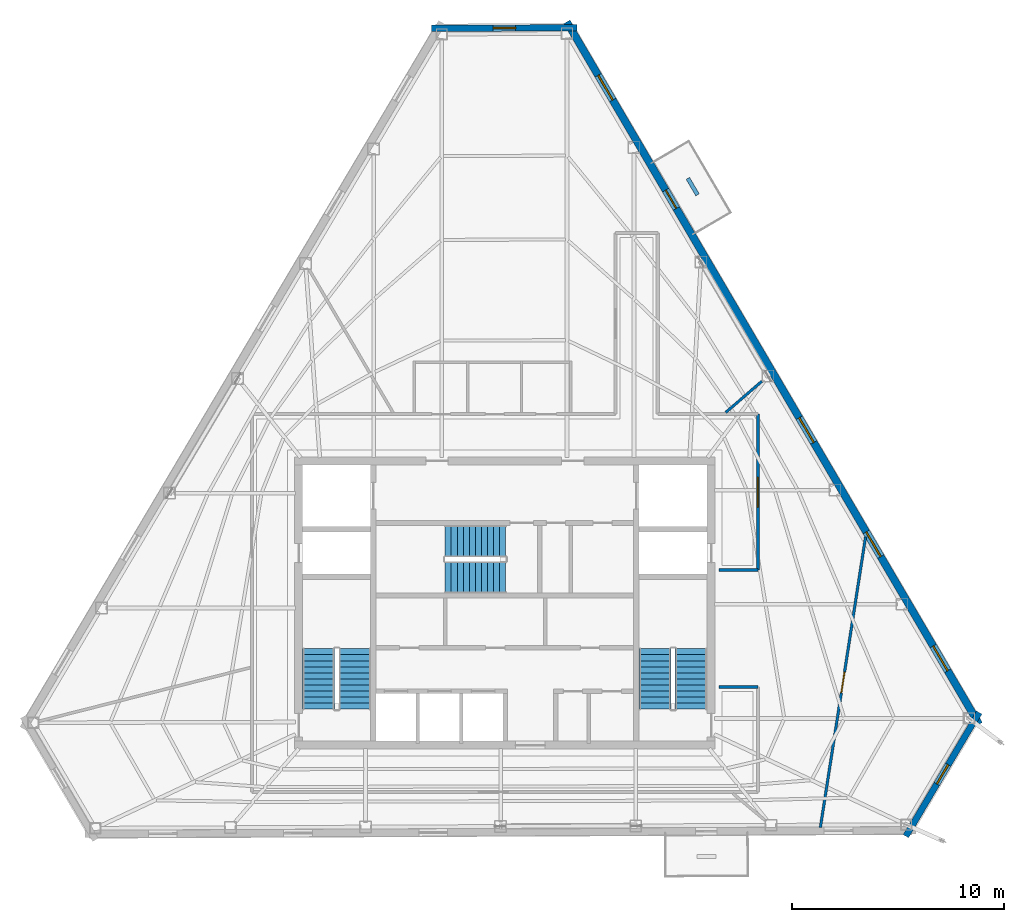
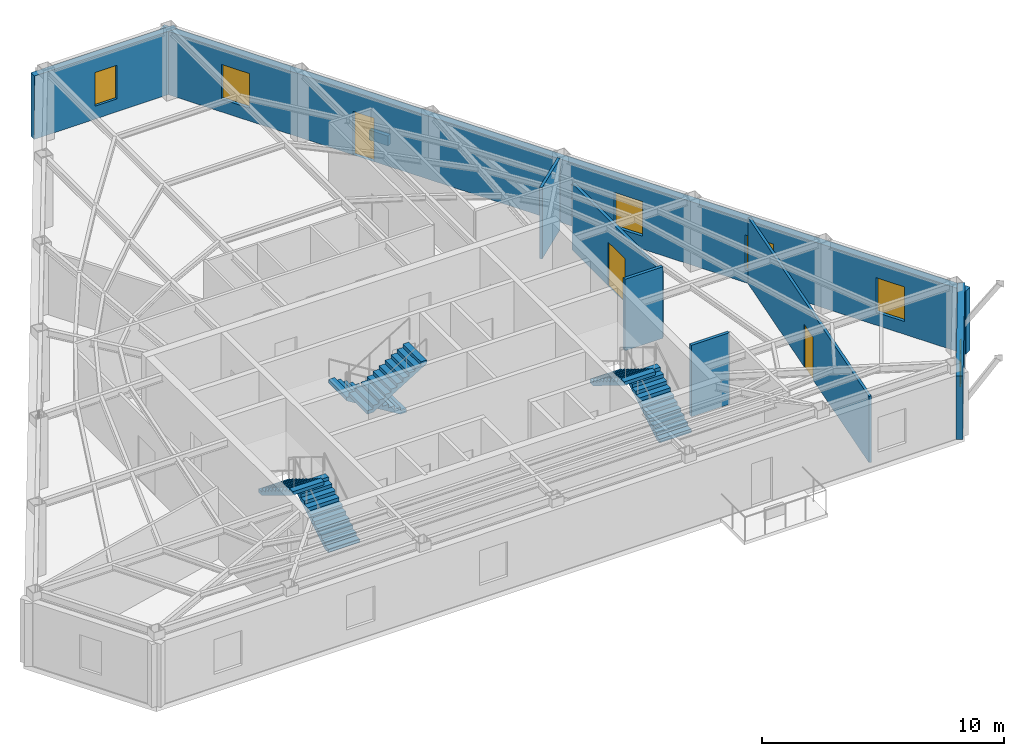
# One storey, part 8 of 9: 9 walls, 6 stair flights, 6 windows, 3 doors, 9 openings, 3 elements without a shape of their own.
"""IFC4 building model written with IfcOpenShell, lengths in metres."""

from ifc_helpers import new_model, si_unit, direction, frame, frame_2d, origin, place, context, subcontext, project, spatial, polyline, rectangle, outline, extrude, material, layer, layer_set, type_object, element, fill, aggregate, save


model = new_model("IFC4")

# Units and contexts
model_context = context("Model", 3, precision=1e-05, world=origin(), true_north=direction((0.0, 1.0)))
body_context = subcontext(model_context, "Body", "Model", "MODEL_VIEW")
ifc_project = project(units=[si_unit("LENGTHUNIT", "METRE"), si_unit("AREAUNIT", "SQUARE_METRE"), si_unit("VOLUMEUNIT", "CUBIC_METRE"), si_unit("PLANEANGLEUNIT", "RADIAN"), si_unit("MASSUNIT", "GRAM", prefix="KILO")], contexts=[model_context])

# Site, building, storey
site_placement = place(None, origin())
site = spatial("IfcSite", under=ifc_project, at=site_placement, CompositionType="ELEMENT")
building_placement = place(site_placement, origin())
building = spatial("IfcBuilding", under=site, at=building_placement, Name="Kavelnor Concourse Tower", CompositionType="ELEMENT")
storey_placement = place(building_placement, frame((0.0, 0.0, 278.0)))
storey = spatial("IfcBuildingStorey", under=building, at=storey_placement, Name="L70", CompositionType="ELEMENT", Elevation=278.0)

# Wall, opening, window
ifc_material_1 = material(Name="Buff ironspot clay face brick masonry", Category="masonry")
ifc_layer_1 = layer(ifc_material_1, 0.300048828125, Name="Buff ironspot clay face brick masonry")
ifc_layer_set_1 = layer_set([ifc_layer_1], Name="Buff ironspot clay face brick masonry")
wall_type_1 = type_object("IfcWallType", Name="WL-EXT-BUFF-BRICK-FOLD-300", PredefinedType="STANDARD", material=ifc_layer_set_1)
wall_1_placement = place(storey_placement, frame((34.552001953125, 43.155517578125, 0.0), z_axis=(0.0, 0.0, 1.0), x_axis=(0.999990229646, 0.004420476578, 0.0)))
wall_1 = element("IfcWall", 1, at=wall_1_placement, inside=storey, type_object=wall_type_1, Name="L70 Exterior Brick Facade Wall E0", PredefinedType="STANDARD", context=body_context, shape_type="SweptSolid", body=[
    extrude(rectangle(XDim=6.848388671875, YDim=0.300048828125, at=frame_2d((3.42431640625, 0.0))), origin(), (0.0, 0.0, 1.0), 3.196044921875),
])
opening_1_placement = place(wall_1_placement, frame((2.899169921875, 0.0, 0.64990234375)))
opening_1 = element("IfcOpeningElement", 2, at=opening_1_placement, cuts=wall_1, Name="Opening W-06", PredefinedType="OPENING", context=body_context, shape_type="SweptSolid", body=[
    extrude(rectangle(XDim=1.050048828125, YDim=1.699951171875, at=frame_2d((0.52490234375, 0.85009765625))), frame((0.0, 0.16015625, 0.0), z_axis=(0.0, -1.0, 0.0), x_axis=(1.0, 0.0, 0.0)), (0.0, 0.0, 1.0), 0.320068359375),
])
ifc_material_2 = material(Name="Double low-E argon insulated glazing", Category="glass")
window_type_1 = type_object("IfcWindowType", Name="WIN-FOLD-1050", PartitioningType="SINGLE_PANEL", PredefinedType="WINDOW", material=ifc_material_2)
window_1_placement = place(opening_1_placement, origin())
window_1 = element("IfcWindow", 3, at=window_1_placement, inside=storey, type_object=window_type_1, Name="L70 Chamfer-Fold Facet Window C0", OverallHeight=1.699951171875, OverallWidth=1.050048828125, PartitioningType="SINGLE_PANEL", PredefinedType="WINDOW", context=body_context, shape_type="SweptSolid", body=[
    extrude(rectangle(XDim=1.050048828125, YDim=1.699951171875, at=frame_2d((0.52490234375, 0.85009765625))), frame((0.0, 0.030029296875, 0.0), z_axis=(0.0, -1.0, 0.0), x_axis=(1.0, 0.0, 0.0)), (0.0, 0.0, 1.0), 0.06005859375),
])
fill(opening_1, window_1)

wall_2_placement = place(storey_placement, frame((60.33251953125, 10.943603515625, 0.0), z_axis=(0.0, 0.0, 1.0), x_axis=(-0.510055421905, -0.860141538693, 0.0)))
wall_2 = element("IfcWall", 4, at=wall_2_placement, inside=storey, type_object=wall_type_1, Name="L70 Exterior Brick Facade Wall E4", PredefinedType="STANDARD", context=body_context, shape_type="SweptSolid", body=[
    extrude(rectangle(XDim=6.77001953125, YDim=0.300048828125, at=frame_2d((3.385009765625, 0.0))), origin(), (0.0, 0.0, 1.0), 3.196044921875),
])
opening_2_placement = place(wall_2_placement, frame((2.860107421875, 0.0, 0.64990234375)))
opening_2 = element("IfcOpeningElement", 5, at=opening_2_placement, cuts=wall_2, Name="Opening W-06", PredefinedType="OPENING", context=body_context, shape_type="SweptSolid", body=[
    extrude(rectangle(XDim=1.050048828125, YDim=1.699951171875, at=frame_2d((0.52490234375, 0.85009765625))), frame((0.0, 0.16015625, 0.0), z_axis=(0.0, -1.0, 0.0), x_axis=(1.0, 0.0, 0.0)), (0.0, 0.0, 1.0), 0.320068359375),
])
window_2_placement = place(opening_2_placement, origin())
window_2 = element("IfcWindow", 6, at=window_2_placement, inside=storey, type_object=window_type_1, Name="L70 Chamfer-Fold Facet Window C2", OverallHeight=1.699951171875, OverallWidth=1.050048828125, PartitioningType="SINGLE_PANEL", PredefinedType="WINDOW", context=body_context, shape_type="SweptSolid", body=[
    extrude(rectangle(XDim=1.050048828125, YDim=1.699951171875, at=frame_2d((0.52490234375, 0.85009765625))), frame((0.0, 0.030029296875, 0.0), z_axis=(0.0, -1.0, 0.0), x_axis=(1.0, 0.0, 0.0)), (0.0, 0.0, 1.0), 0.06005859375),
])
fill(opening_2, window_2)

# Wall, openings, door, windows
ifc_material_3 = material(Name="Red-ochre clay face brick masonry", Category="masonry")
ifc_layer_2 = layer(ifc_material_3, 0.35009765625, Name="Red-ochre clay face brick masonry")
ifc_layer_set_2 = layer_set([ifc_layer_2], Name="Red-ochre clay face brick masonry")
wall_type_2 = type_object("IfcWallType", Name="WL-EXT-RED-BRICK-PIER-350", PredefinedType="STANDARD", material=ifc_layer_set_2)
wall_3_placement = place(storey_placement, frame((40.9169921875, 43.461181640625, 0.0), z_axis=(0.0, 0.0, 1.0), x_axis=(0.506204788728, -0.862413306872, 0.0)))
wall_3 = element("IfcWall", 7, at=wall_3_placement, inside=storey, type_object=wall_type_2, Name="L70 Exterior Brick Facade Wall E5", PredefinedType="STANDARD", context=body_context, shape_type="SweptSolid", body=[
    extrude(rectangle(XDim=38.352294921875, YDim=0.35009765625, at=frame_2d((19.17626953125, 0.0))), origin(), (0.0, 0.0, 1.0), 3.196044921875),
])
opening_3_placement = place(wall_3_placement, frame((9.18798828125, 0.0, 0.0)))
opening_3 = element("IfcOpeningElement", 8, at=opening_3_placement, cuts=wall_3, Name="Opening BD-100", PredefinedType="OPENING", context=body_context, shape_type="SweptSolid", body=[
    extrude(rectangle(XDim=1.0, YDim=2.199951171875, at=frame_2d((0.5, 1.10009765625))), frame((0.0, 0.18505859375, 0.0), z_axis=(0.0, -1.0, 0.0), x_axis=(1.0, 0.0, 0.0)), (0.0, 0.0, 1.0), 0.3701171875),
])
opening_4_placement = place(wall_3_placement, frame((34.077880859375, 0.0, 0.64990234375)))
opening_4 = element("IfcOpeningElement", 9, at=opening_4_placement, cuts=wall_3, Name="Opening W-04", PredefinedType="OPENING", context=body_context, shape_type="SweptSolid", body=[
    extrude(rectangle(XDim=1.35009765625, YDim=1.75, at=frame_2d((0.675048828125, 0.875))), frame((0.0, 0.18505859375, 0.0), z_axis=(0.0, -1.0, 0.0), x_axis=(1.0, 0.0, 0.0)), (0.0, 0.0, 1.0), 0.3701171875),
])
opening_5_placement = place(wall_3_placement, frame((27.845703125, 0.0, 0.64990234375)))
opening_5 = element("IfcOpeningElement", 10, at=opening_5_placement, cuts=wall_3, Name="Opening W-04", PredefinedType="OPENING", context=body_context, shape_type="SweptSolid", body=[
    extrude(rectangle(XDim=1.35009765625, YDim=1.75, at=frame_2d((0.675048828125, 0.875))), frame((0.0, 0.18505859375, 0.0), z_axis=(0.0, -1.0, 0.0), x_axis=(1.0, 0.0, 0.0)), (0.0, 0.0, 1.0), 0.3701171875),
])
opening_6_placement = place(wall_3_placement, frame((21.613525390625, 0.0, 0.64990234375)))
opening_6 = element("IfcOpeningElement", 11, at=opening_6_placement, cuts=wall_3, Name="Opening W-04", PredefinedType="OPENING", context=body_context, shape_type="SweptSolid", body=[
    extrude(rectangle(XDim=1.35009765625, YDim=1.75, at=frame_2d((0.675048828125, 0.875))), frame((0.0, 0.18505859375, 0.0), z_axis=(0.0, -1.0, 0.0), x_axis=(1.0, 0.0, 0.0)), (0.0, 0.0, 1.0), 0.3701171875),
])
opening_7_placement = place(wall_3_placement, frame((2.917236328125, 0.0, 0.64990234375)))
opening_7 = element("IfcOpeningElement", 12, at=opening_7_placement, cuts=wall_3, Name="Opening W-04", PredefinedType="OPENING", context=body_context, shape_type="SweptSolid", body=[
    extrude(rectangle(XDim=1.35009765625, YDim=1.75, at=frame_2d((0.675048828125, 0.875))), frame((0.0, 0.18505859375, 0.0), z_axis=(0.0, -1.0, 0.0), x_axis=(1.0, 0.0, 0.0)), (0.0, 0.0, 1.0), 0.3701171875),
])
ifc_material_4 = material(Name="Anodised aluminium 6063-T6", Category="aluminium")
door_type_1 = type_object("IfcDoorType", Name="DR-BALCONY-EXT-1000", OperationType="NOTDEFINED", PredefinedType="DOOR", material=ifc_material_4)
door_1_placement = place(opening_3_placement, origin())
door_1 = element("IfcDoor", 13, at=door_1_placement, inside=storey, type_object=door_type_1, Name="L70 Tree Balcony 2 Glazed Door", OperationType="SINGLE_SWING_RIGHT", OverallHeight=2.199951171875, OverallWidth=1.0, PredefinedType="DOOR", context=body_context, shape_type="SweptSolid", body=[
    extrude(rectangle(XDim=1.0, YDim=2.199951171875, at=frame_2d((0.5, 1.10009765625))), frame((0.0, 0.02490234375, 0.0), z_axis=(0.0, -1.0, 0.0), x_axis=(1.0, 0.0, 0.0)), (0.0, 0.0, 1.0), 0.050048828125),
])
fill(opening_3, door_1)
window_type_2 = type_object("IfcWindowType", Name="WIN-PIER-Z4-1350", PartitioningType="SINGLE_PANEL", PredefinedType="WINDOW", material=ifc_material_2)
window_3_placement = place(opening_4_placement, origin())
window_3 = element("IfcWindow", 14, at=window_3_placement, inside=storey, type_object=window_type_2, Name="L70 Deep-Set Brick Pier Window F2-B0", OverallHeight=1.75, OverallWidth=1.35009765625, PartitioningType="SINGLE_PANEL", PredefinedType="WINDOW", context=body_context, shape_type="SweptSolid", body=[
    extrude(rectangle(XDim=1.35009765625, YDim=1.75, at=frame_2d((0.675048828125, 0.875))), frame((0.0, 0.030029296875, 0.0), z_axis=(0.0, -1.0, 0.0), x_axis=(1.0, 0.0, 0.0)), (0.0, 0.0, 1.0), 0.06005859375),
])
fill(opening_4, window_3)
window_4_placement = place(opening_5_placement, origin())
window_4 = element("IfcWindow", 15, at=window_4_placement, inside=storey, type_object=window_type_2, Name="L70 Deep-Set Brick Pier Window F2-B1", OverallHeight=1.75, OverallWidth=1.35009765625, PartitioningType="SINGLE_PANEL", PredefinedType="WINDOW", context=body_context, shape_type="SweptSolid", body=[
    extrude(rectangle(XDim=1.35009765625, YDim=1.75, at=frame_2d((0.675048828125, 0.875))), frame((0.0, 0.030029296875, 0.0), z_axis=(0.0, -1.0, 0.0), x_axis=(1.0, 0.0, 0.0)), (0.0, 0.0, 1.0), 0.06005859375),
])
fill(opening_5, window_4)
window_5_placement = place(opening_6_placement, origin())
window_5 = element("IfcWindow", 16, at=window_5_placement, inside=storey, type_object=window_type_2, Name="L70 Deep-Set Brick Pier Window F2-B2", OverallHeight=1.75, OverallWidth=1.35009765625, PartitioningType="SINGLE_PANEL", PredefinedType="WINDOW", context=body_context, shape_type="SweptSolid", body=[
    extrude(rectangle(XDim=1.35009765625, YDim=1.75, at=frame_2d((0.675048828125, 0.875))), frame((0.0, 0.030029296875, 0.0), z_axis=(0.0, -1.0, 0.0), x_axis=(1.0, 0.0, 0.0)), (0.0, 0.0, 1.0), 0.06005859375),
])
fill(opening_6, window_5)
window_6_placement = place(opening_7_placement, origin())
window_6 = element("IfcWindow", 17, at=window_6_placement, inside=storey, type_object=window_type_2, Name="L70 Deep-Set Brick Pier Window F2-B5", OverallHeight=1.75, OverallWidth=1.35009765625, PartitioningType="SINGLE_PANEL", PredefinedType="WINDOW", context=body_context, shape_type="SweptSolid", body=[
    extrude(rectangle(XDim=1.35009765625, YDim=1.75, at=frame_2d((0.675048828125, 0.875))), frame((0.0, 0.030029296875, 0.0), z_axis=(0.0, -1.0, 0.0), x_axis=(1.0, 0.0, 0.0)), (0.0, 0.0, 1.0), 0.06005859375),
])
fill(opening_7, window_6)

# Wall, opening, door
ifc_material_5 = material(Name="Gypsum plasterboard on light-gauge steel studs", Category="steel")
ifc_layer_3 = layer(ifc_material_5, 0.14501953125, Name="Gypsum plasterboard on light-gauge steel studs")
ifc_layer_set_3 = layer_set([ifc_layer_3], Name="Gypsum plasterboard on light-gauge steel studs")
wall_type_3 = type_object("IfcWallType", Name="WL-INT-CORR-145", PredefinedType="PARTITIONING", material=ifc_layer_set_3)
wall_4_placement = place(storey_placement, frame((49.909912109375, 24.989990234375, 0.0), z_axis=(0.0, 0.0, 1.0), x_axis=(0.0, -1.0, 0.0)))
wall_4 = element("IfcWall", 18, at=wall_4_placement, inside=storey, type_object=wall_type_3, Name="L70 Corridor Wall WL-L70-CR-05", PredefinedType="PARTITIONING", context=body_context, shape_type="SweptSolid", body=[
    extrude(rectangle(XDim=7.340087890625, YDim=0.14501953125, at=frame_2d((3.669921875, 0.0))), origin(), (0.0, 0.0, 1.0), 3.34912109375),
])
opening_8_placement = place(wall_4_placement, frame((2.969970703125, 0.0, 0.0)))
opening_8 = element("IfcOpeningElement", 19, at=opening_8_placement, cuts=wall_4, Name="Opening SD-140", PredefinedType="OPENING", context=body_context, shape_type="SweptSolid", body=[
    extrude(rectangle(XDim=1.39990234375, YDim=2.199951171875, at=frame_2d((0.699951171875, 1.10009765625))), frame((0.0, 0.08251953125, 0.0), z_axis=(0.0, -1.0, 0.0), x_axis=(1.0, 0.0, 0.0)), (0.0, 0.0, 1.0), 0.1650390625),
])
ifc_material_6 = material(Name="Solid-core hardwood timber", Category="wood")
door_type_2 = type_object("IfcDoorType", Name="DR-SUITE-ENTRY-1400", OperationType="NOTDEFINED", PredefinedType="DOOR", material=ifc_material_6)
door_2_placement = place(opening_8_placement, origin())
door_2 = element("IfcDoor", 20, at=door_2_placement, inside=storey, type_object=door_type_2, Name="L70 Executive Dining Room 04 Door", OperationType="SINGLE_SWING_LEFT", OverallHeight=2.199951171875, OverallWidth=1.39990234375, PredefinedType="DOOR", context=body_context, shape_type="SweptSolid", body=[
    extrude(rectangle(XDim=1.39990234375, YDim=2.199951171875, at=frame_2d((0.699951171875, 1.10009765625))), frame((0.0, 0.02490234375, 0.0), z_axis=(0.0, -1.0, 0.0), x_axis=(1.0, 0.0, 0.0)), (0.0, 0.0, 1.0), 0.050048828125),
])
fill(opening_8, door_2)

# Walls
for number, where, z_axis, x_axis, name in (
    (21, (49.909912109375, 17.64990234375, 0.0), (0.0, 0.0, 1.0), (-1.0, 0.0, 0.0), "L70 Corridor Wall WL-L70-CR-06"),
    (22, (48.090087890625, 12.14990234375, 0.0), (0.0, 0.0, 1.0), (1.0, 0.0, 0.0), "L70 Corridor Wall WL-L70-CR-07"),
):
    element("IfcWall", number, at=place(storey_placement, frame(where, z_axis=z_axis, x_axis=x_axis)), inside=storey, type_object=wall_type_3, Name=name, PredefinedType="PARTITIONING", context=body_context, shape_type="SweptSolid", body=[
        extrude(rectangle(XDim=1.81982421875, YDim=0.14501953125, at=frame_2d((0.909912109375, 0.0))), origin(), (0.0, 0.0, 1.0), 3.610107421875),
    ])
ifc_layer_4 = layer(ifc_material_5, 0.125, Name="Gypsum plasterboard on light-gauge steel studs")
ifc_layer_set_4 = layer_set([ifc_layer_4], Name="Gypsum plasterboard on light-gauge steel studs")
wall_type_4 = type_object("IfcWallType", Name="WL-INT-SUITE-125", PredefinedType="PARTITIONING", material=ifc_layer_set_4)
wall_5_placement = place(storey_placement, frame((48.396728515625, 25.070556640625, 0.0), z_axis=(0.0, 0.0, 1.0), x_axis=(0.7571861728, 0.653199127158, 0.0)))
element("IfcWall", 23, at=wall_5_placement, inside=storey, type_object=wall_type_4, Name="L70 Radial Suite Partition 01", PredefinedType="PARTITIONING", context=body_context, shape_type="SweptSolid", body=[
    extrude(rectangle(XDim=2.25146484375, YDim=0.125, at=frame_2d((1.125732421875, 0.0))), origin(), (0.0, 0.0, 1.0), 3.610107421875),
])

# Wall, opening, door
wall_6_placement = place(storey_placement, frame((52.854248046875, 5.526123046875, 0.0), z_axis=(0.0, 0.0, 1.0), x_axis=(0.153703179187, 0.988117064273, 0.0)))
wall_6 = element("IfcWall", 24, at=wall_6_placement, inside=storey, type_object=wall_type_4, Name="L70 Suite Subdivision Partition 04", PredefinedType="PARTITIONING", context=body_context, shape_type="SweptSolid", body=[
    extrude(rectangle(XDim=13.84130859375, YDim=0.125, at=frame_2d((6.920654296875, 0.0))), origin(), (0.0, 0.0, 1.0), 3.34912109375),
])
opening_9_placement = place(wall_6_placement, frame((6.4306640625, 0.0, 0.0)))
opening_9 = element("IfcOpeningElement", 25, at=opening_9_placement, cuts=wall_6, Name="Opening OD-098", PredefinedType="OPENING", context=body_context, shape_type="SweptSolid", body=[
    extrude(rectangle(XDim=0.97998046875, YDim=2.14990234375, at=frame_2d((0.489990234375, 1.074951171875))), frame((0.0, 0.072509765625, 0.0), z_axis=(0.0, -1.0, 0.0), x_axis=(1.0, 0.0, 0.0)), (0.0, 0.0, 1.0), 0.14501953125),
])
door_type_3 = type_object("IfcDoorType", Name="DR-OFFICE-980", OperationType="NOTDEFINED", PredefinedType="DOOR", material=ifc_material_6)
door_3_placement = place(opening_9_placement, origin())
door_3 = element("IfcDoor", 26, at=door_3_placement, inside=storey, type_object=door_type_3, Name="L70 Executive Dining Room 05 Door", OperationType="SINGLE_SWING_RIGHT", OverallHeight=2.14990234375, OverallWidth=0.97998046875, PredefinedType="DOOR", context=body_context, shape_type="SweptSolid", body=[
    extrude(rectangle(XDim=0.97998046875, YDim=2.14990234375, at=frame_2d((0.489990234375, 1.074951171875))), frame((0.0, 0.02490234375, 0.0), z_axis=(0.0, -1.0, 0.0), x_axis=(1.0, 0.0, 0.0)), (0.0, 0.0, 1.0), 0.050048828125),
])
fill(opening_9, door_3)

# Wall
ifc_material_7 = material(Name="Architectural precast planter concrete C40/50", Category="concrete")
ifc_layer_5 = layer(ifc_material_7, 0.18994140625, Name="Architectural precast planter concrete C40/50")
ifc_layer_set_5 = layer_set([ifc_layer_5], Name="Architectural precast planter concrete C40/50")
wall_type_5 = type_object("IfcWallType", Name="WL-PLANTER-KERB-190", PredefinedType="USERDEFINED", material=ifc_layer_set_5)
wall_7_placement = place(storey_placement, frame((47.07080078125, 35.31787109375, 0.0), z_axis=(0.0, 0.0, 1.0), x_axis=(-0.506011920069, 0.862526484665, 0.0)))
element("IfcWall", 27, at=wall_7_placement, inside=storey, type_object=wall_type_5, Name="L70 Tree Balcony 2 Tree Planter Kerb", ObjectType="PLANTER", PredefinedType="USERDEFINED", context=body_context, shape_type="SweptSolid", body=[
    extrude(rectangle(XDim=0.89990234375, YDim=0.18994140625, at=frame_2d((0.449951171875, 0.0))), origin(), (0.0, 0.0, 1.0), 0.5),
])

# Stair, stair flights
ifc_material_8 = material(Name="Concrete C40/50", Category="concrete")
stair_type = type_object("IfcStairType", Name="STR-CORE-1500", PredefinedType="HALF_TURN_STAIR", material=ifc_material_8)
stair_1_placement = place(storey_placement, origin())
stair_1 = element("IfcStair", 28, at=stair_1_placement, inside=storey, type_object=stair_type, Name="L70 ST1", PredefinedType="HALF_TURN_STAIR")
stair_flight_type = type_object("IfcStairFlightType", Name="STR-FLIGHT-1500", PredefinedType="STRAIGHT", material=ifc_material_8)
stair_flight_1_placement = place(storey_placement, frame((30.929931640625, 11.10009765625, 0.0), z_axis=(0.0, 0.0, 1.0), x_axis=(0.0, 1.0, 0.0)))
stair_flight_1 = element("IfcStairFlight", 29, at=stair_flight_1_placement, type_object=stair_flight_type, Name="ST1 flight 1", NumberOfRisers=11, NumberOfTreads=10, PredefinedType="STRAIGHT", RiserHeight=0.175, TreadLength=0.285, context=body_context, shape_type="SweptSolid", body=[
    extrude(outline(polyline([(0.0, 0.0), (0.0, 0.175048828125), (0.284912109375, 0.175048828125), (0.284912109375, 0.35009765625), (0.570068359375, 0.35009765625), (0.570068359375, 0.52490234375), (0.85498046875, 0.52490234375), (0.85498046875, 0.699951171875), (1.139892578125, 0.699951171875), (1.139892578125, 0.875), (1.425048828125, 0.875), (1.425048828125, 1.050048828125), (1.7099609375, 1.050048828125), (1.7099609375, 1.22509765625), (1.9951171875, 1.22509765625), (1.9951171875, 1.39990234375), (2.280029296875, 1.39990234375), (2.280029296875, 1.574951171875), (2.56494140625, 1.574951171875), (2.56494140625, 1.75), (2.85009765625, 1.75), (2.85009765625, 1.925048828125), (2.85009765625, 1.573974609375), (0.286376953125, 0.0), (0.0, 0.0)])), frame((0.0, 0.75, 0.0), z_axis=(0.0, -1.0, 0.0), x_axis=(1.0, 0.0, 0.0)), (0.0, 0.0, 1.0), 1.5),
])
stair_flight_2_placement = place(storey_placement, frame((29.22998046875, 13.949951171875, 1.925048828125), z_axis=(0.0, 0.0, 1.0), x_axis=(0.0, -1.0, 0.0)))
stair_flight_2 = element("IfcStairFlight", 30, at=stair_flight_2_placement, type_object=stair_flight_type, Name="ST1 flight 2", NumberOfRisers=11, NumberOfTreads=10, PredefinedType="STRAIGHT", RiserHeight=0.175, TreadLength=0.285, context=body_context, shape_type="SweptSolid", body=[
    extrude(outline(polyline([(0.0, 0.0), (0.0, 0.175048828125), (0.284912109375, 0.175048828125), (0.284912109375, 0.35009765625), (0.570068359375, 0.35009765625), (0.570068359375, 0.52490234375), (0.85498046875, 0.52490234375), (0.85498046875, 0.699951171875), (1.139892578125, 0.699951171875), (1.139892578125, 0.875), (1.425048828125, 0.875), (1.425048828125, 1.050048828125), (1.7099609375, 1.050048828125), (1.7099609375, 1.22509765625), (1.9951171875, 1.22509765625), (1.9951171875, 1.39990234375), (2.280029296875, 1.39990234375), (2.280029296875, 1.574951171875), (2.56494140625, 1.574951171875), (2.56494140625, 1.75), (2.85009765625, 1.75), (2.85009765625, 1.925048828125), (2.85009765625, 1.573974609375), (0.286376953125, 0.0), (0.0, 0.0)])), frame((0.0, 0.75, 0.0), z_axis=(0.0, -1.0, 0.0), x_axis=(1.0, 0.0, 0.0)), (0.0, 0.0, 1.0), 1.5),
])
aggregate(stair_1, [stair_flight_1, stair_flight_2])

stair_2_placement = place(storey_placement, origin())
stair_2 = element("IfcStair", 31, at=stair_2_placement, inside=storey, type_object=stair_type, Name="L70 ST2", PredefinedType="HALF_TURN_STAIR")
stair_flight_3_placement = place(storey_placement, frame((46.77001953125, 11.10009765625, 0.0), z_axis=(0.0, 0.0, 1.0), x_axis=(0.0, 1.0, 0.0)))
stair_flight_3 = element("IfcStairFlight", 32, at=stair_flight_3_placement, type_object=stair_flight_type, Name="ST2 flight 1", NumberOfRisers=11, NumberOfTreads=10, PredefinedType="STRAIGHT", RiserHeight=0.175, TreadLength=0.285, context=body_context, shape_type="SweptSolid", body=[
    extrude(outline(polyline([(0.0, 0.0), (0.0, 0.175048828125), (0.284912109375, 0.175048828125), (0.284912109375, 0.35009765625), (0.570068359375, 0.35009765625), (0.570068359375, 0.52490234375), (0.85498046875, 0.52490234375), (0.85498046875, 0.699951171875), (1.139892578125, 0.699951171875), (1.139892578125, 0.875), (1.425048828125, 0.875), (1.425048828125, 1.050048828125), (1.7099609375, 1.050048828125), (1.7099609375, 1.22509765625), (1.9951171875, 1.22509765625), (1.9951171875, 1.39990234375), (2.280029296875, 1.39990234375), (2.280029296875, 1.574951171875), (2.56494140625, 1.574951171875), (2.56494140625, 1.75), (2.85009765625, 1.75), (2.85009765625, 1.925048828125), (2.85009765625, 1.573974609375), (0.286376953125, 0.0), (0.0, 0.0)])), frame((0.0, 0.75, 0.0), z_axis=(0.0, -1.0, 0.0), x_axis=(1.0, 0.0, 0.0)), (0.0, 0.0, 1.0), 1.5),
])
stair_flight_4_placement = place(storey_placement, frame((45.070068359375, 13.949951171875, 1.925048828125), z_axis=(0.0, 0.0, 1.0), x_axis=(0.0, -1.0, 0.0)))
stair_flight_4 = element("IfcStairFlight", 33, at=stair_flight_4_placement, type_object=stair_flight_type, Name="ST2 flight 2", NumberOfRisers=11, NumberOfTreads=10, PredefinedType="STRAIGHT", RiserHeight=0.175, TreadLength=0.285, context=body_context, shape_type="SweptSolid", body=[
    extrude(outline(polyline([(0.0, 0.0), (0.0, 0.175048828125), (0.284912109375, 0.175048828125), (0.284912109375, 0.35009765625), (0.570068359375, 0.35009765625), (0.570068359375, 0.52490234375), (0.85498046875, 0.52490234375), (0.85498046875, 0.699951171875), (1.139892578125, 0.699951171875), (1.139892578125, 0.875), (1.425048828125, 0.875), (1.425048828125, 1.050048828125), (1.7099609375, 1.050048828125), (1.7099609375, 1.22509765625), (1.9951171875, 1.22509765625), (1.9951171875, 1.39990234375), (2.280029296875, 1.39990234375), (2.280029296875, 1.574951171875), (2.56494140625, 1.574951171875), (2.56494140625, 1.75), (2.85009765625, 1.75), (2.85009765625, 1.925048828125), (2.85009765625, 1.573974609375), (0.286376953125, 0.0), (0.0, 0.0)])), frame((0.0, 0.75, 0.0), z_axis=(0.0, -1.0, 0.0), x_axis=(1.0, 0.0, 0.0)), (0.0, 0.0, 1.0), 1.5),
])
aggregate(stair_2, [stair_flight_3, stair_flight_4])

stair_3_placement = place(storey_placement, origin())
stair_3 = element("IfcStair", 34, at=stair_3_placement, inside=storey, type_object=stair_type, Name="L70 ST3", PredefinedType="HALF_TURN_STAIR")
stair_flight_5_placement = place(storey_placement, frame((38.0400390625, 19.010009765625, 0.0), z_axis=(0.0, 0.0, 1.0), x_axis=(-1.0, 0.0, 0.0)))
stair_flight_5 = element("IfcStairFlight", 35, at=stair_flight_5_placement, type_object=stair_flight_type, Name="ST3 flight 1", NumberOfRisers=11, NumberOfTreads=10, PredefinedType="STRAIGHT", RiserHeight=0.175, TreadLength=0.285, context=body_context, shape_type="SweptSolid", body=[
    extrude(outline(polyline([(0.0, 0.0), (0.0, 0.175048828125), (0.284912109375, 0.175048828125), (0.284912109375, 0.35009765625), (0.570068359375, 0.35009765625), (0.570068359375, 0.52490234375), (0.85498046875, 0.52490234375), (0.85498046875, 0.699951171875), (1.139892578125, 0.699951171875), (1.139892578125, 0.875), (1.425048828125, 0.875), (1.425048828125, 1.050048828125), (1.7099609375, 1.050048828125), (1.7099609375, 1.22509765625), (1.9951171875, 1.22509765625), (1.9951171875, 1.39990234375), (2.280029296875, 1.39990234375), (2.280029296875, 1.574951171875), (2.56494140625, 1.574951171875), (2.56494140625, 1.75), (2.85009765625, 1.75), (2.85009765625, 1.925048828125), (2.85009765625, 1.573974609375), (0.286376953125, 0.0), (0.0, 0.0)])), frame((0.0, 0.75, 0.0), z_axis=(0.0, -1.0, 0.0), x_axis=(1.0, 0.0, 0.0)), (0.0, 0.0, 1.0), 1.5),
])
stair_flight_6_placement = place(storey_placement, frame((35.18994140625, 17.31005859375, 1.925048828125), z_axis=(0.0, 0.0, 1.0), x_axis=(1.0, 0.0, 0.0)))
stair_flight_6 = element("IfcStairFlight", 36, at=stair_flight_6_placement, type_object=stair_flight_type, Name="ST3 flight 2", NumberOfRisers=11, NumberOfTreads=10, PredefinedType="STRAIGHT", RiserHeight=0.175, TreadLength=0.285, context=body_context, shape_type="SweptSolid", body=[
    extrude(outline(polyline([(0.0, 0.0), (0.0, 0.175048828125), (0.284912109375, 0.175048828125), (0.284912109375, 0.35009765625), (0.570068359375, 0.35009765625), (0.570068359375, 0.52490234375), (0.85498046875, 0.52490234375), (0.85498046875, 0.699951171875), (1.139892578125, 0.699951171875), (1.139892578125, 0.875), (1.425048828125, 0.875), (1.425048828125, 1.050048828125), (1.7099609375, 1.050048828125), (1.7099609375, 1.22509765625), (1.9951171875, 1.22509765625), (1.9951171875, 1.39990234375), (2.280029296875, 1.39990234375), (2.280029296875, 1.574951171875), (2.56494140625, 1.574951171875), (2.56494140625, 1.75), (2.85009765625, 1.75), (2.85009765625, 1.925048828125), (2.85009765625, 1.573974609375), (0.286376953125, 0.0), (0.0, 0.0)])), frame((0.0, 0.75, 0.0), z_axis=(0.0, -1.0, 0.0), x_axis=(1.0, 0.0, 0.0)), (0.0, 0.0, 1.0), 1.5),
])
aggregate(stair_3, [stair_flight_5, stair_flight_6])

save(model, "model.ifc")
